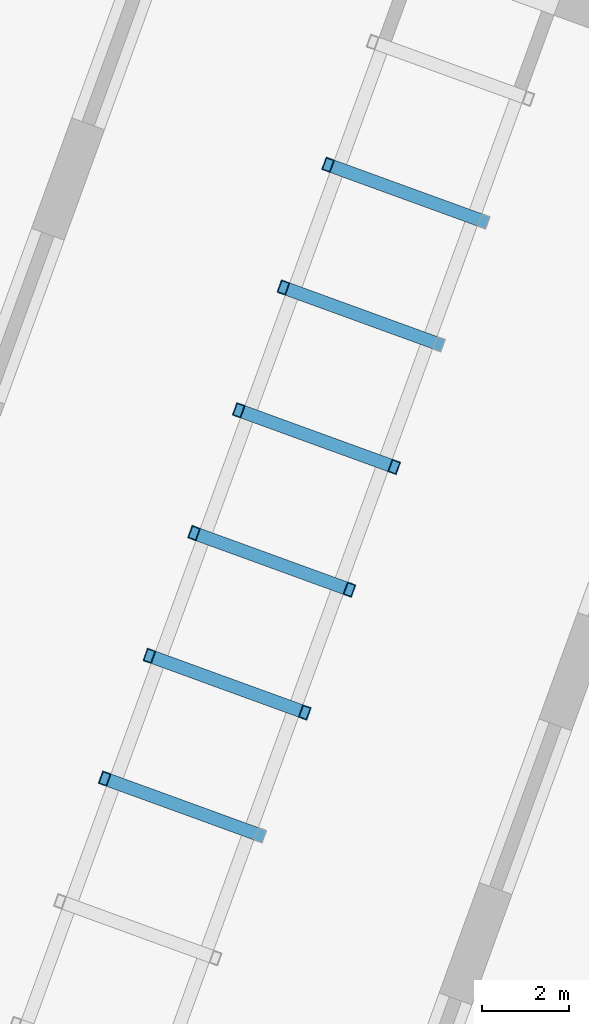
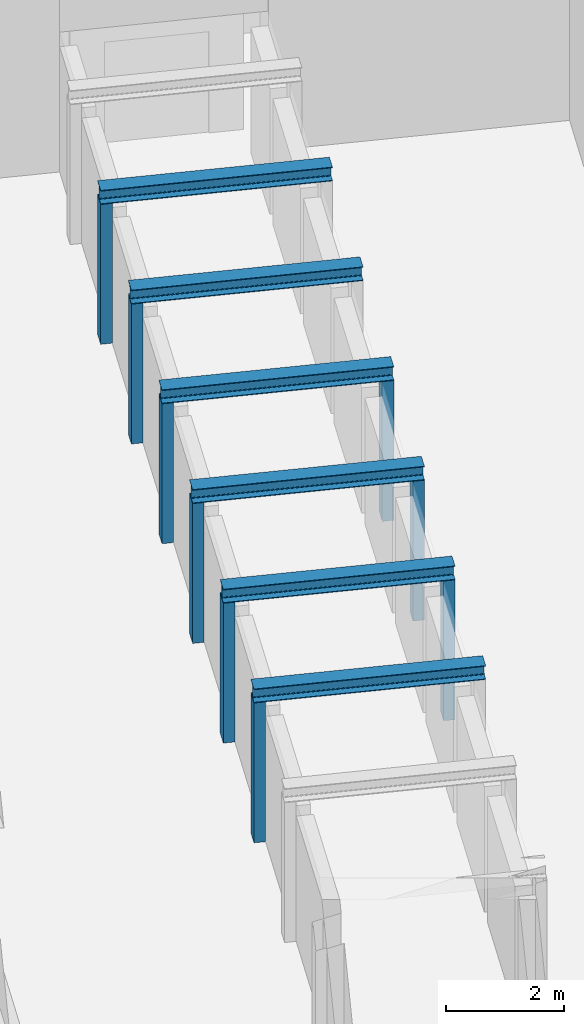
# One storey, part 4 of 36: 15 members.
"""IFC4 building model written with IfcOpenShell, lengths in metres."""

from ifc_helpers import new_model, si_unit, direction, frame, origin, origin_2d, place, context, subcontext, project, spatial, hollow_rectangle, i_section, extrude, material, material_profile, profile_set, type_object, element, save


model = new_model("IFC4")

# Units and contexts
model_context = context("Model", 3, precision=1e-05, world=origin(), true_north=direction((0.0, 1.0)))
body_context = subcontext(model_context, "Body", "Model", "MODEL_VIEW")
ifc_project = project(units=[si_unit("LENGTHUNIT", "METRE"), si_unit("AREAUNIT", "SQUARE_METRE"), si_unit("VOLUMEUNIT", "CUBIC_METRE"), si_unit("PLANEANGLEUNIT", "RADIAN"), si_unit("MASSUNIT", "GRAM", prefix="KILO")], contexts=[model_context])

# Site, building, storey
site_placement = place(None, origin())
site = spatial("IfcSite", under=ifc_project, at=site_placement, CompositionType="ELEMENT")
building_placement = place(site_placement, origin())
building = spatial("IfcBuilding", under=site, at=building_placement, Name="Nzadi Deep Aquarium and Research Tower", CompositionType="ELEMENT")
storey_placement = place(building_placement, frame((0.0, 0.0, 14.199951171875)))
storey = spatial("IfcBuildingStorey", under=building, at=storey_placement, Name="L02", CompositionType="ELEMENT", Elevation=14.199951171875)

# Members
ifc_material_1 = material(Name="Steel S355", Category="steel")
ifc_material_profile_1 = material_profile(ifc_material_1, i_section(OverallWidth=0.300048828125, OverallDepth=0.2900390625, WebThickness=0.008544921875, FlangeThickness=0.013916015625, FilletRadius=0.027099609375, at=origin_2d()))
ifc_profile_set_1 = profile_set([ifc_material_profile_1], Name="Steel S355")
member_type_1 = type_object("IfcMemberType", Name="HEA 300", PredefinedType="MEMBER", material=ifc_profile_set_1)
for number, where, z_axis, x_axis, name in (
    (1, (24.868408203125, 65.245849609375, 3.045166015625), (0.939686455819, -0.342037080957, 0.0), (0.342037080957, 0.939686455819, 0.0), "MB-TUN-R3-TOP"),
    (2, (25.89453125, 68.06494140625, 3.045166015625), (0.939686455819, -0.342037080957, 0.0), (0.342037080957, 0.939686455819, 0.0), "MB-TUN-R4-TOP"),
    (3, (26.920654296875, 70.884033203125, 3.045166015625), (0.939686455819, -0.342037080957, 0.0), (0.342037080957, 0.939686455819, 0.0), "MB-TUN-R5-TOP"),
    (4, (27.94677734375, 73.703125, 3.045166015625), (0.939686455819, -0.342037080957, 0.0), (0.342037080957, 0.939686455819, 0.0), "MB-TUN-R6-TOP"),
    (5, (28.97265625, 76.522216796875, 3.045166015625), (0.939686455819, -0.342037080957, 0.0), (0.342037080957, 0.939686455819, 0.0), "MB-TUN-R7-TOP"),
    (6, (29.998779296875, 79.34130859375, 3.045166015625), (0.939686455819, -0.342037080957, 0.0), (0.342037080957, 0.939686455819, 0.0), "MB-TUN-R8-TOP"),
):
    element("IfcMember", number, at=place(storey_placement, frame(where, z_axis=z_axis, x_axis=x_axis)), inside=storey, type_object=member_type_1, Name=name, PredefinedType="MEMBER", context=body_context, shape_type="SweptSolid", body=[
        extrude(i_section(OverallWidth=0.300048828125, OverallDepth=0.2900390625, WebThickness=0.008544921875, FlangeThickness=0.013916015625, FilletRadius=0.027099609375, at=origin_2d()), origin(), (0.0, 0.0, 1.0), 4.0),
    ])
ifc_material_2 = material(Name="Steel S355", Category="steel")
ifc_material_profile_2 = material_profile(ifc_material_2, hollow_rectangle(XDim=0.199951171875, YDim=0.300048828125, WallThickness=0.011962890625, at=origin_2d()))
ifc_profile_set_2 = profile_set([ifc_material_profile_2], Name="Steel S355")
member_type_2 = type_object("IfcMemberType", Name="RHS 300x200x12", PredefinedType="POST", material=ifc_profile_set_2)
for number, where, z_axis, x_axis, name in (
    (7, (24.96240234375, 65.211669921875, 0.0), (0.0, 0.0, 1.0), (0.939692620786, -0.342020143326, 0.0), "MB-TUN-R3-PW"),
    (8, (25.988525390625, 68.03076171875, 0.0), (0.0, 0.0, 1.0), (0.939692620786, -0.342020143326, 0.0), "MB-TUN-R4-PW"),
    (9, (29.559326171875, 66.731201171875, 0.0), (0.0, 0.0, 1.0), (0.939692620786, -0.342020143326, 0.0), "MB-TUN-R4-PE"),
    (10, (27.0146484375, 70.849853515625, 0.0), (0.0, 0.0, 1.0), (0.939692620786, -0.342020143326, 0.0), "MB-TUN-R5-PW"),
    (11, (30.58544921875, 69.550048828125, 0.0), (0.0, 0.0, 1.0), (0.939692620786, -0.342020143326, 0.0), "MB-TUN-R5-PE"),
    (12, (28.04052734375, 73.6689453125, 0.0), (0.0, 0.0, 1.0), (0.939692620786, -0.342020143326, 0.0), "MB-TUN-R6-PW"),
    (13, (31.611572265625, 72.369140625, 0.0), (0.0, 0.0, 1.0), (0.939692620786, -0.342020143326, 0.0), "MB-TUN-R6-PE"),
    (14, (29.066650390625, 76.488037109375, 0.0), (0.0, 0.0, 1.0), (0.939692620786, -0.342020143326, 0.0), "MB-TUN-R7-PW"),
    (15, (30.0927734375, 79.30712890625, 0.0), (0.0, 0.0, 1.0), (0.939692620786, -0.342020143326, 0.0), "MB-TUN-R8-PW"),
):
    element("IfcMember", number, at=place(storey_placement, frame(where, z_axis=z_axis, x_axis=x_axis)), inside=storey, type_object=member_type_2, Name=name, PredefinedType="POST", context=body_context, shape_type="SweptSolid", body=[
        extrude(hollow_rectangle(XDim=0.199951171875, YDim=0.300048828125, WallThickness=0.011962890625, at=origin_2d()), origin(), (0.0, 0.0, 1.0), 2.900146484375),
    ])

save(model, "model.ifc")
